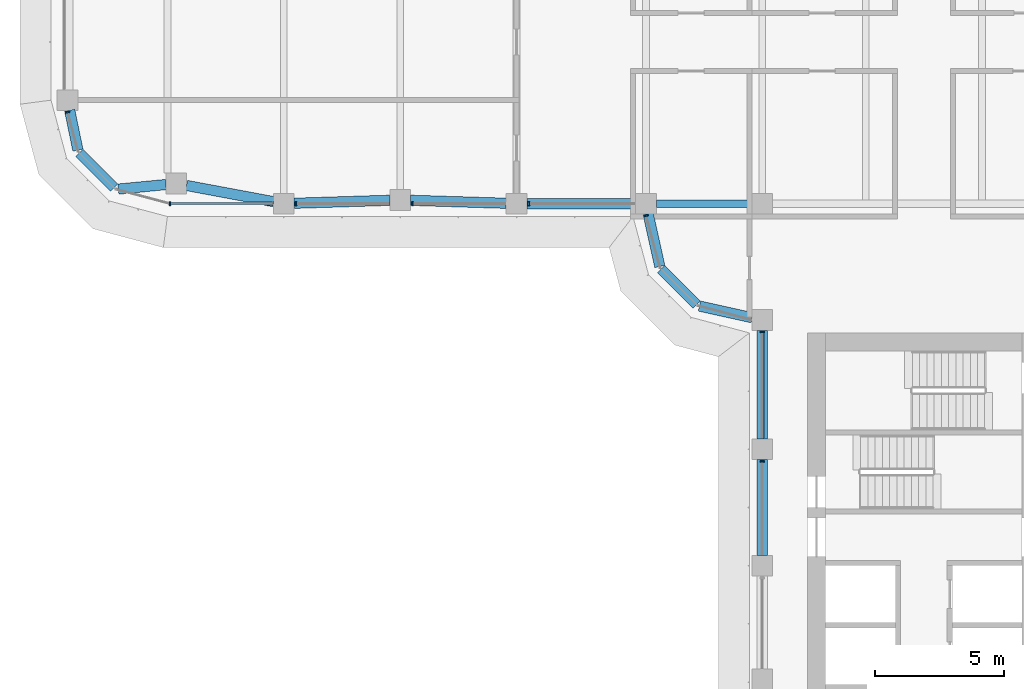
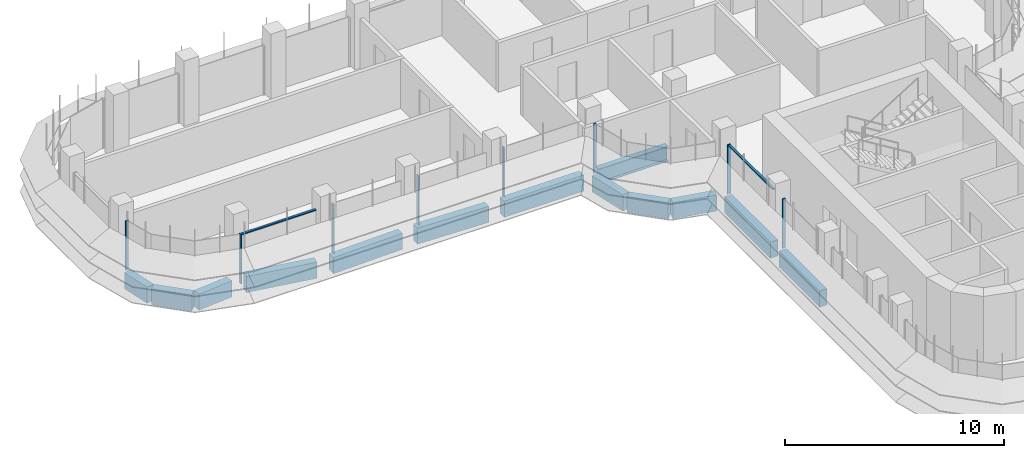
# One storey, part 3 of 20: 13 beams, 10 members, 4 elements without a shape of their own.
"""IFC4 building model written with IfcOpenShell, lengths in metres."""

from ifc_helpers import new_model, si_unit, direction, frame, origin, origin_2d, place, context, subcontext, project, spatial, polyline, rectangle, i_section, outline, extrude, source, transform, mapped, material, material_profile, profile_set, type_object, element, aggregate, save


model = new_model("IFC4")

# Units and contexts
model_context = context("Model", 3, precision=1e-05, world=origin(), true_north=direction((0.0, 1.0)))
body_context = subcontext(model_context, "Body", "Model", "MODEL_VIEW")
ifc_project = project(units=[si_unit("LENGTHUNIT", "METRE"), si_unit("AREAUNIT", "SQUARE_METRE"), si_unit("VOLUMEUNIT", "CUBIC_METRE"), si_unit("PLANEANGLEUNIT", "RADIAN"), si_unit("MASSUNIT", "GRAM", prefix="KILO")], contexts=[model_context])

# Site, building, storey
site_placement = place(None, origin())
site = spatial("IfcSite", under=ifc_project, at=site_placement, CompositionType="ELEMENT")
building_placement = place(site_placement, origin())
building = spatial("IfcBuilding", under=site, at=building_placement, Name="Zarbagh Exchange Tower", CompositionType="ELEMENT")
storey_placement = place(building_placement, frame((0.0, 0.0, 141.0)))
storey = spatial("IfcBuildingStorey", under=building, at=storey_placement, Name="L33", CompositionType="ELEMENT", Elevation=141.0)

# Beams
ifc_material_1 = material(Name="Steel ASTM A992 Gr 50", Category="steel")
ifc_material_profile_1 = material_profile(ifc_material_1, i_section(OverallWidth=0.2919921875, OverallDepth=0.835693359375, WebThickness=0.013916015625, FlangeThickness=0.018798828125, at=origin_2d()), Name="W33X118")
ifc_profile_set_1 = profile_set([ifc_material_profile_1], Name="Steel ASTM A992 Gr 50")
beam_type_1 = type_object("IfcBeamType", Name="Floor girder W33X118", PredefinedType="BEAM", material=ifc_profile_set_1)
beam_1_placement = place(storey_placement, frame((-10.35009765625, -6.25, -0.56787109375), z_axis=(1.0, 0.0, 0.0), x_axis=(0.0, 1.0, 0.0)))
element("IfcBeam", 1, at=beam_1_placement, inside=storey, type_object=beam_type_1, Name="Steel girder", PredefinedType="BEAM", context=body_context, shape_type="SweptSolid", body=[
    extrude(i_section(OverallWidth=0.2919921875, OverallDepth=0.835693359375, WebThickness=0.013916015625, FlangeThickness=0.018798828125, at=origin_2d()), origin(), (0.0, 0.0, 1.0), 3.7001953125),
])
ifc_material_2 = material(Name="Concrete C50/60", Category="concrete")
ifc_material_profile_2 = material_profile(ifc_material_2, rectangle(XDim=0.39990234375, YDim=0.89990234375, at=origin_2d()), Name="RC spandrel beam 400 x 900 C50/60")
ifc_profile_set_2 = profile_set([ifc_material_profile_2], Name="Concrete C50/60")
beam_type_2 = type_object("IfcBeamType", Name="RC spandrel beam 400 x 900 C50/60", PredefinedType="SPANDREL", material=ifc_profile_set_2)
beam_2_placement = place(storey_placement, frame((-6.25, -19.85009765625, -0.60009765625), z_axis=(0.0, 1.0, 0.0), x_axis=(-1.0, 0.0, 0.0)))
element("IfcBeam", 2, at=beam_2_placement, inside=storey, type_object=beam_type_2, Name="RC spandrel beam", PredefinedType="SPANDREL", context=body_context, shape_type="SweptSolid", body=[
    extrude(rectangle(XDim=0.39990234375, YDim=0.89990234375, at=origin_2d()), origin(), (0.0, 0.0, 1.0), 3.7001953125),
])
beam_3_placement = place(storey_placement, frame((-6.25, -15.35009765625, -0.60009765625), z_axis=(0.0, 1.0, 0.0), x_axis=(-1.0, 0.0, 0.0)))
element("IfcBeam", 3, at=beam_3_placement, inside=storey, type_object=beam_type_2, Name="RC spandrel beam", PredefinedType="SPANDREL", context=body_context, shape_type="SweptSolid", body=[
    extrude(rectangle(XDim=0.39990234375, YDim=0.89990234375, at=origin_2d()), origin(), (0.0, 0.0, 1.0), 4.2001953125),
])
beam_4_placement = place(storey_placement, frame((-6.640625, -10.66357421875, -0.60009765625), z_axis=(-0.976384278741, 0.216041061437, 0.0), x_axis=(-0.216041061437, -0.976384278741, 0.0)))
element("IfcBeam", 4, at=beam_4_placement, inside=storey, type_object=beam_type_2, Name="RC spandrel beam", PredefinedType="SPANDREL", context=body_context, shape_type="SweptSolid", body=[
    extrude(rectangle(XDim=0.39990234375, YDim=0.89990234375, at=origin_2d()), origin(), (0.0, 0.0, 1.0), 2.0927734375),
])
beam_5_placement = place(storey_placement, frame((-8.782470703125, -10.15771484375, -0.60009765625), z_axis=(-0.707106781187, 0.707106781187, 0.0), x_axis=(-0.707106781187, -0.707106781187, 0.0)))
element("IfcBeam", 5, at=beam_5_placement, inside=storey, type_object=beam_type_2, Name="RC spandrel beam", PredefinedType="SPANDREL", context=body_context, shape_type="SweptSolid", body=[
    extrude(rectangle(XDim=0.39990234375, YDim=0.89990234375, at=origin_2d()), origin(), (0.0, 0.0, 1.0), 1.94482421875),
])
beam_6_placement = place(storey_placement, frame((-10.21142578125, -8.68408203125, -0.60009765625), z_axis=(-0.216041061437, 0.976384278741, 0.0), x_axis=(-0.976384278741, -0.216041061437, 0.0)))
element("IfcBeam", 6, at=beam_6_placement, inside=storey, type_object=beam_type_2, Name="RC spandrel beam", PredefinedType="SPANDREL", context=body_context, shape_type="SweptSolid", body=[
    extrude(rectangle(XDim=0.39990234375, YDim=0.89990234375, at=origin_2d()), origin(), (0.0, 0.0, 1.0), 2.0927734375),
])
beam_7_placement = place(storey_placement, frame((-11.14990234375, -6.25, -0.60009765625), z_axis=(-1.0, 0.0, 0.0), x_axis=(0.0, -1.0, 0.0)))
element("IfcBeam", 7, at=beam_7_placement, inside=storey, type_object=beam_type_2, Name="RC spandrel beam", PredefinedType="SPANDREL", context=body_context, shape_type="SweptSolid", body=[
    extrude(rectangle(XDim=0.39990234375, YDim=0.89990234375, at=origin_2d()), origin(), (0.0, 0.0, 1.0), 4.2001953125),
])
for number, where, z_axis, x_axis, name in (
    (8, (-16.14990234375, -6.237548828125, -0.60009765625), (-0.999515416033, 0.031127690444, 0.0), (-0.031127690444, -0.999515416033, 0.0), "RC spandrel beam"),
    (9, (-20.64990234375, -6.122314453125, -0.60009765625), (-0.999515416033, -0.031127690444, 0.0), (0.031127690444, -0.999515416033, 0.0), "RC spandrel beam"),
):
    element("IfcBeam", number, at=place(storey_placement, frame(where, z_axis=z_axis, x_axis=x_axis)), inside=storey, type_object=beam_type_2, Name=name, PredefinedType="SPANDREL", context=body_context, shape_type="SweptSolid", body=[
        extrude(rectangle(XDim=0.39990234375, YDim=0.89990234375, at=origin_2d()), origin(), (0.0, 0.0, 1.0), 3.701904296875),
    ])
beam_8_placement = place(storey_placement, frame((-25.143310546875, -6.1767578125, -0.60009765625), z_axis=(-0.983069862768, 0.183231124313, 0.0), x_axis=(-0.183231124313, -0.983069862768, 0.0)))
element("IfcBeam", 10, at=beam_8_placement, inside=storey, type_object=beam_type_2, Name="RC spandrel beam", PredefinedType="SPANDREL", context=body_context, shape_type="SweptSolid", body=[
    extrude(rectangle(XDim=0.39990234375, YDim=0.89990234375, at=origin_2d()), origin(), (0.0, 0.0, 1.0), 3.4296875),
])
beam_9_placement = place(storey_placement, frame((-29.30615234375, -5.51318359375, -0.60009765625), z_axis=(-0.995435353267, -0.095438239015, 0.0), x_axis=(0.095438239015, -0.995435353267, 0.0)))
element("IfcBeam", 11, at=beam_9_placement, inside=storey, type_object=beam_type_2, Name="RC spandrel beam", PredefinedType="SPANDREL", context=body_context, shape_type="SweptSolid", body=[
    extrude(rectangle(XDim=0.39990234375, YDim=0.89990234375, at=origin_2d()), origin(), (0.0, 0.0, 1.0), 1.849609375),
])
beam_10_placement = place(storey_placement, frame((-31.307861328125, -5.632080078125, -0.60009765625), z_axis=(-0.707106781187, 0.707106781187, 0.0), x_axis=(-0.707106781187, -0.707106781187, 0.0)))
element("IfcBeam", 12, at=beam_10_placement, inside=storey, type_object=beam_type_2, Name="RC spandrel beam", PredefinedType="SPANDREL", context=body_context, shape_type="SweptSolid", body=[
    extrude(rectangle(XDim=0.39990234375, YDim=0.89990234375, at=origin_2d()), origin(), (0.0, 0.0, 1.0), 1.9072265625),
])
beam_11_placement = place(storey_placement, frame((-32.7109375, -4.1826171875, -0.60009765625), z_axis=(-0.20216948151, 0.979350550491, 0.0), x_axis=(-0.979350550491, -0.20216948151, 0.0)))
element("IfcBeam", 13, at=beam_11_placement, inside=storey, type_object=beam_type_2, Name="RC spandrel beam", PredefinedType="SPANDREL", context=body_context, shape_type="SweptSolid", body=[
    extrude(rectangle(XDim=0.39990234375, YDim=0.89990234375, at=origin_2d()), origin(), (0.0, 0.0, 1.0), 1.573486328125),
])

# Curtain wall, member
ifc_material_3 = material(Name="Anodised aluminium frame and glazing", Category="aluminium")
curtain_wall_type = type_object("IfcCurtainWallType", Name="CWB Ribbon glazing, upper zones", PredefinedType="NOTDEFINED", material=ifc_material_3)
curtain_wall_1_placement = place(storey_placement, origin())
curtain_wall_1 = element("IfcCurtainWall", 14, at=curtain_wall_1_placement, inside=storey, type_object=curtain_wall_type, Name="CWB37 curtain wall", PredefinedType="NOTDEFINED")
ifc_material_4 = material(Name="Anodised aluminium frame", Category="aluminium")
member_type_1 = type_object("IfcMemberType", Name="MUB Mullion, anodised aluminium frame", PredefinedType="MULLION", material=ifc_material_4)
shared_shape_1 = source(origin(), body_context, "Body", "SweptSolid", [
    extrude(outline(polyline([(0.0, -0.080078125), (0.06005859375, -0.080078125), (0.06005859375, 0.080078125), (0.0, 0.080078125), (0.0, -0.080078125)])), origin(), (0.0, 0.0, 1.0), 2.75),
])
placement = place(storey_placement, origin())
member_1 = element("IfcMember", 15, at=placement, type_object=member_type_1, Name="CWB37 mullion 1.1", PredefinedType="MULLION", context=body_context, shape_type="MappedRepresentation", body=[
    mapped(shared_shape_1, transform((-33.114501953125, -2.68994140625, 0.0), x_axis=(0.258824779902, -0.965924289636, 0.0), y_axis=(0.965924289636, 0.258824779902, 0.0), z_axis=(0.0, 0.0, 1.0))),
])
aggregate(curtain_wall_1, [member_1])

# Curtain wall, members
curtain_wall_2_placement = place(storey_placement, origin())
curtain_wall_2 = element("IfcCurtainWall", 16, at=curtain_wall_2_placement, inside=storey, type_object=curtain_wall_type, Name="CWB40 curtain wall", PredefinedType="NOTDEFINED")
member_2 = element("IfcMember", 17, at=placement, type_object=member_type_1, Name="CWB40 mullion 1.1", PredefinedType="MULLION", context=body_context, shape_type="MappedRepresentation", body=[
    mapped(shared_shape_1, transform((-29.18408203125, -6.25, 0.0), x_axis=(1.0, 0.0, 0.0), y_axis=(0.0, 1.0, 0.0), z_axis=(0.0, 0.0, 1.0))),
])
member_3 = element("IfcMember", 18, at=placement, type_object=member_type_1, Name="CWB40 mullion 2.1", PredefinedType="MULLION", context=body_context, shape_type="MappedRepresentation", body=[
    mapped(shared_shape_1, transform((-24.31005859375, -6.25, 0.0), x_axis=(1.0, 0.0, 0.0), y_axis=(0.0, 1.0, 0.0), z_axis=(0.0, 0.0, 1.0))),
])
member_4 = element("IfcMember", 19, at=placement, type_object=member_type_1, Name="CWB40 mullion 3.1", PredefinedType="MULLION", context=body_context, shape_type="MappedRepresentation", body=[
    mapped(shared_shape_1, transform((-19.81005859375, -6.25, 0.0), x_axis=(1.0, 0.0, 0.0), y_axis=(0.0, 1.0, 0.0), z_axis=(0.0, 0.0, 1.0))),
])
member_5 = element("IfcMember", 20, at=placement, type_object=member_type_1, Name="CWB40 mullion 4.1", PredefinedType="MULLION", context=body_context, shape_type="MappedRepresentation", body=[
    mapped(shared_shape_1, transform((-15.31005859375, -6.25, 0.0), x_axis=(1.0, 0.0, 0.0), y_axis=(0.0, 1.0, 0.0), z_axis=(0.0, 0.0, 1.0))),
])

# Curtain wall, member
curtain_wall_3_placement = place(storey_placement, origin())
curtain_wall_3 = element("IfcCurtainWall", 21, at=curtain_wall_3_placement, inside=storey, type_object=curtain_wall_type, Name="CWB41 curtain wall", PredefinedType="NOTDEFINED")
member_6 = element("IfcMember", 22, at=placement, type_object=member_type_1, Name="CWB41 mullion 1.1", PredefinedType="MULLION", context=body_context, shape_type="MappedRepresentation", body=[
    mapped(shared_shape_1, transform((-10.74853515625, -6.68994140625, 0.0), x_axis=(0.258824779902, -0.965924289636, 0.0), y_axis=(0.965924289636, 0.258824779902, 0.0), z_axis=(0.0, 0.0, 1.0))),
])
aggregate(curtain_wall_3, [member_6])

# Curtain wall, members
curtain_wall_4_placement = place(storey_placement, origin())
curtain_wall_4 = element("IfcCurtainWall", 23, at=curtain_wall_4_placement, inside=storey, type_object=curtain_wall_type, Name="CWB44 curtain wall", PredefinedType="NOTDEFINED")
member_7 = element("IfcMember", 24, at=placement, type_object=member_type_1, Name="CWB44 mullion 1.1", PredefinedType="MULLION", context=body_context, shape_type="MappedRepresentation", body=[
    mapped(shared_shape_1, transform((-6.25, -11.18994140625, 0.0), x_axis=(0.0, -1.0, 0.0), y_axis=(1.0, 0.0, 0.0), z_axis=(0.0, 0.0, 1.0))),
])
member_8 = element("IfcMember", 25, at=placement, type_object=member_type_1, Name="CWB44 mullion 2.1", PredefinedType="MULLION", context=body_context, shape_type="MappedRepresentation", body=[
    mapped(shared_shape_1, transform((-6.25, -16.18994140625, 0.0), x_axis=(0.0, -1.0, 0.0), y_axis=(1.0, 0.0, 0.0), z_axis=(0.0, 0.0, 1.0))),
])
member_type_2 = type_object("IfcMemberType", Name="TRB Transom, anodised aluminium frame", PredefinedType="USERDEFINED", material=ifc_material_4)
shared_shape_2 = source(origin(), body_context, "Body", "SweptSolid", [
    extrude(outline(polyline([(-0.06005859375, -0.06005859375), (0.0, -0.06005859375), (0.0, 0.06005859375), (-0.06005859375, 0.06005859375), (-0.06005859375, -0.06005859375)])), origin(), (0.0, 0.0, 1.0), 4.06005859375),
])
member_9 = element("IfcMember", 26, at=placement, type_object=member_type_2, Name="CWB44 transom 1.1", ObjectType="TRANSOM", PredefinedType="USERDEFINED", context=body_context, shape_type="MappedRepresentation", body=[
    mapped(shared_shape_2, transform((-6.25, -11.25, 2.75), x_axis=(0.0, 0.0, 1.0), y_axis=(-1.0, 0.0, 0.0), z_axis=(0.0, -1.0, 0.0))),
])
aggregate(curtain_wall_4, [member_7, member_9, member_8])

# Member
shared_shape_3 = source(origin(), body_context, "Body", "SweptSolid", [
    extrude(outline(polyline([(-0.06005859375, -0.06005859375), (0.0, -0.06005859375), (0.0, 0.06005859375), (-0.06005859375, 0.06005859375), (-0.06005859375, -0.06005859375)])), origin(), (0.0, 0.0, 1.0), 3.93408203125),
])
member_10 = element("IfcMember", 27, at=placement, type_object=member_type_2, Name="CWB40 transom 1.1", ObjectType="TRANSOM", PredefinedType="USERDEFINED", context=body_context, shape_type="MappedRepresentation", body=[
    mapped(shared_shape_3, transform((-29.124267578125, -6.25, 2.75), x_axis=(0.0, 0.0, 1.0), y_axis=(0.0, -1.0, 0.0), z_axis=(1.0, 0.0, 0.0))),
])

aggregate(curtain_wall_2, [member_2, member_10, member_3, member_4, member_5])

save(model, "model.ifc")
